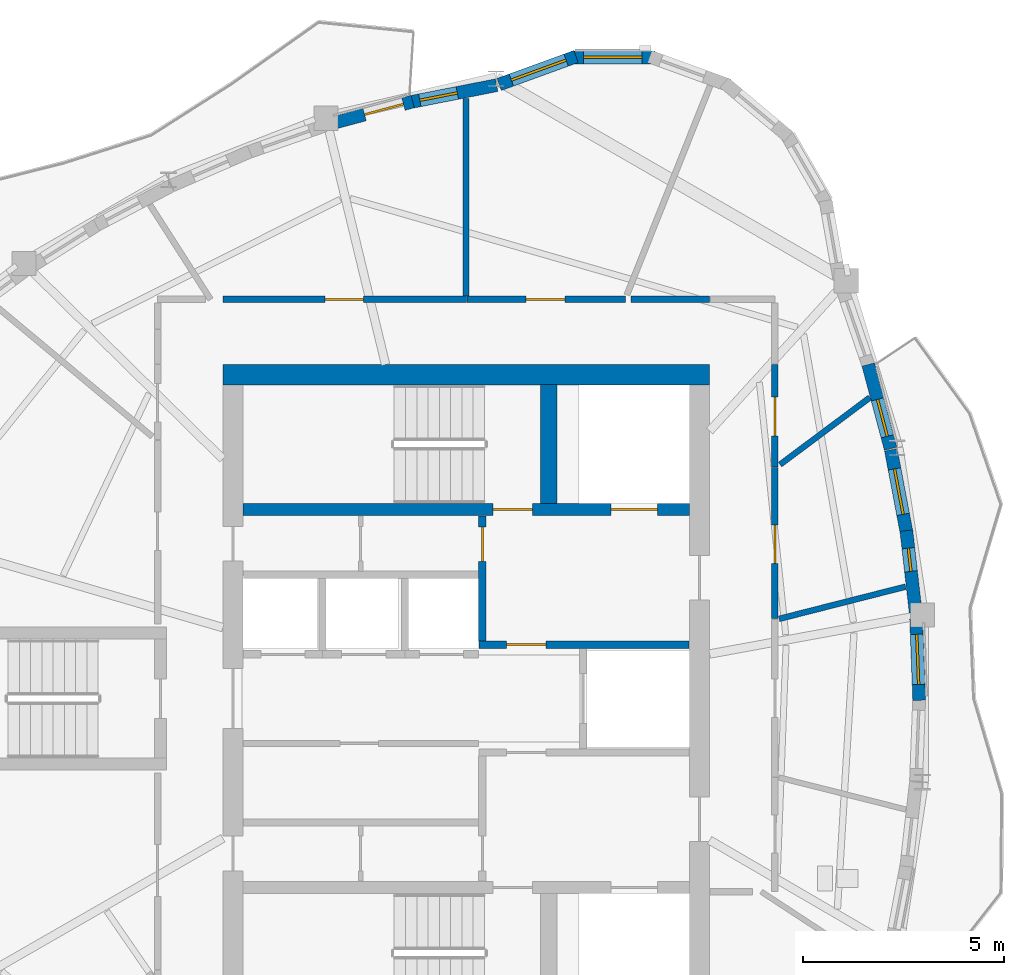
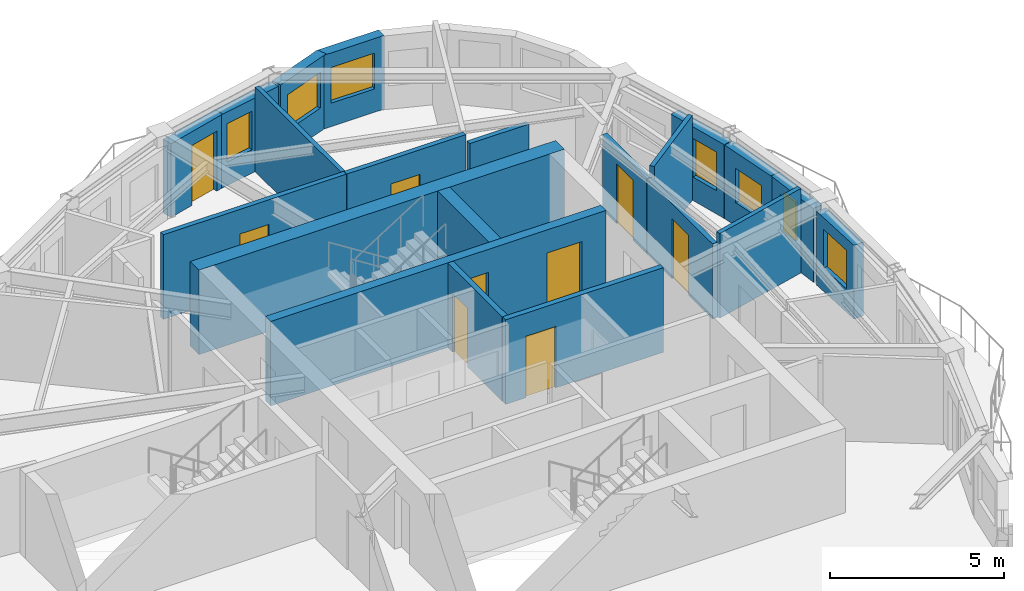
# One storey, part 6 of 11: 21 walls, 9 doors, 7 windows, 16 openings.
"""IFC4 building model written with IfcOpenShell, lengths in metres."""

from ifc_helpers import new_model, si_unit, direction, frame, frame_2d, origin, place, context, subcontext, project, spatial, rectangle, extrude, source, transform, mapped, material, layer, layer_set, type_object, element, fill, save


model = new_model("IFC4")

# Units and contexts
model_context = context("Model", 3, precision=1e-05, world=origin(), true_north=direction((0.0, 1.0)))
body_context = subcontext(model_context, "Body", "Model", "MODEL_VIEW")
ifc_project = project(units=[si_unit("LENGTHUNIT", "METRE"), si_unit("AREAUNIT", "SQUARE_METRE"), si_unit("VOLUMEUNIT", "CUBIC_METRE"), si_unit("PLANEANGLEUNIT", "RADIAN"), si_unit("MASSUNIT", "GRAM", prefix="KILO")], contexts=[model_context])

# Site, building, storey
site_placement = place(None, origin())
site = spatial("IfcSite", under=ifc_project, at=site_placement, CompositionType="ELEMENT")
building_placement = place(site_placement, origin())
building = spatial("IfcBuilding", under=site, at=building_placement, Name="Qafzar Sky-Pleat Residences", CompositionType="ELEMENT")
storey_placement = place(building_placement, frame((0.0, 0.0, 237.199951171875)))
storey = spatial("IfcBuildingStorey", under=building, at=storey_placement, Name="L71", CompositionType="ELEMENT", Elevation=237.199951171875)

# Wall, opening, door
ifc_material_1 = material(Name="Acoustic gypsum plasterboard partition", Category="gypsum")
ifc_layer_1 = layer(ifc_material_1, 0.159912109375)
ifc_layer_set_1 = layer_set([ifc_layer_1], Name="Acoustic gypsum plasterboard partition")
wall_type_1 = type_object("IfcWallType", Name="PART-COR-160", PredefinedType="PARTITIONING", material=ifc_layer_set_1)
wall_1_placement = place(storey_placement, frame((24.300048828125, 35.919921875, 0.0), z_axis=(0.0, 0.0, 1.0), x_axis=(1.0, 0.0, 0.0)))
wall_1 = element("IfcWall", 1, at=wall_1_placement, inside=storey, type_object=wall_type_1, Name="L71 Partition Wall PART-L71-PW-001", PredefinedType="PARTITIONING", context=body_context, shape_type="SweptSolid", body=[
    extrude(rectangle(XDim=6.057861328125, YDim=0.159912109375, at=frame_2d((3.02880859375, 0.0))), origin(), (0.0, 0.0, 1.0), 2.9599609375),
])
opening_1_placement = place(wall_1_placement, frame((2.54150390625, 0.0, 0.0)))
opening_1 = element("IfcOpeningElement", 2, at=opening_1_placement, cuts=wall_1, Name="Opening ID-06", PredefinedType="OPENING", context=body_context, shape_type="SweptSolid", body=[
    extrude(rectangle(XDim=0.9599609375, YDim=2.10009765625, at=frame_2d((0.47998046875, 1.050048828125))), frame((0.0, 0.08984375, 0.0), z_axis=(0.0, -1.0, 0.0), x_axis=(1.0, 0.0, 0.0)), (0.0, 0.0, 1.0), 0.179931640625),
])
ifc_material_2 = material(Name="Timber-faced fire door", Category="wood")
door_type_1 = type_object("IfcDoorType", Name="DR-STD-960", OperationType="NOTDEFINED", PredefinedType="DOOR", material=ifc_material_2)
shared_shape_1 = source(origin(), body_context, "Body", "SweptSolid", [
    extrude(rectangle(XDim=0.9599609375, YDim=2.10009765625, at=frame_2d((0.47998046875, 1.050048828125))), frame((0.0, 0.02490234375, 0.0), z_axis=(0.0, -1.0, 0.0), x_axis=(1.0, 0.0, 0.0)), (0.0, 0.0, 1.0), 0.050048828125),
])
door_1_placement = place(opening_1_placement, origin())
door_1 = element("IfcDoor", 3, at=door_1_placement, inside=storey, type_object=door_type_1, Name="L71 Faculty Research Office Door", OperationType="SINGLE_SWING_LEFT", OverallHeight=2.10009765625, OverallWidth=0.9599609375, PredefinedType="DOOR", context=body_context, shape_type="MappedRepresentation", body=[
    mapped(shared_shape_1, transform((0.0, 0.0, 0.0), x_axis=(1.0, 0.0, 0.0), y_axis=(0.0, 1.0, 0.0), z_axis=(0.0, 0.0, 1.0), scale=1.0)),
])
fill(opening_1, door_1)

wall_2_placement = place(storey_placement, frame((30.373046875, 35.919921875, 0.0), z_axis=(0.0, 0.0, 1.0), x_axis=(1.0, 0.0, 0.0)))
wall_2 = element("IfcWall", 4, at=wall_2_placement, inside=storey, type_object=wall_type_1, Name="L71 Partition Wall PART-L71-PW-004", PredefinedType="PARTITIONING", context=body_context, shape_type="SweptSolid", body=[
    extrude(rectangle(XDim=3.93994140625, YDim=0.159912109375, at=frame_2d((1.969970703125, 0.0))), origin(), (0.0, 0.0, 1.0), 2.9599609375),
])
opening_2_placement = place(wall_2_placement, frame((1.467041015625, 0.0, 0.0)))
opening_2 = element("IfcOpeningElement", 5, at=opening_2_placement, cuts=wall_2, Name="Opening ID-06", PredefinedType="OPENING", context=body_context, shape_type="SweptSolid", body=[
    extrude(rectangle(XDim=0.9599609375, YDim=2.10009765625, at=frame_2d((0.47998046875, 1.050048828125))), frame((0.0, 0.08984375, 0.0), z_axis=(0.0, -1.0, 0.0), x_axis=(1.0, 0.0, 0.0)), (0.0, 0.0, 1.0), 0.179931640625),
])
door_2_placement = place(opening_2_placement, origin())
door_2 = element("IfcDoor", 6, at=door_2_placement, inside=storey, type_object=door_type_1, Name="L71 Reading Library Door", OperationType="SINGLE_SWING_LEFT", OverallHeight=2.10009765625, OverallWidth=0.9599609375, PredefinedType="DOOR", context=body_context, shape_type="MappedRepresentation", body=[
    mapped(shared_shape_1, transform((0.0, 0.0, 0.0), x_axis=(1.0, 0.0, 0.0), y_axis=(0.0, 1.0, 0.0), z_axis=(0.0, 0.0, 1.0), scale=1.0)),
])
fill(opening_2, door_2)

wall_3_placement = place(storey_placement, frame((38.02001953125, 31.739013671875, 0.0), z_axis=(0.0, 0.0, 1.0), x_axis=(0.0, -1.0, 0.0)))
wall_3 = element("IfcWall", 7, at=wall_3_placement, inside=storey, type_object=wall_type_1, Name="L71 Partition Wall PART-L71-PW-006", PredefinedType="PARTITIONING", context=body_context, shape_type="SweptSolid", body=[
    extrude(rectangle(XDim=3.755126953125, YDim=0.159912109375, at=frame_2d((1.87744140625, 0.0))), origin(), (0.0, 0.0, 1.0), 2.6279296875),
])
opening_3_placement = place(wall_3_placement, frame((1.422119140625, 0.0, 0.0)))
opening_3 = element("IfcOpeningElement", 8, at=opening_3_placement, cuts=wall_3, Name="Opening ID-06", PredefinedType="OPENING", context=body_context, shape_type="SweptSolid", body=[
    extrude(rectangle(XDim=0.9599609375, YDim=2.10009765625, at=frame_2d((0.47998046875, 1.050048828125))), frame((0.0, 0.08984375, 0.0), z_axis=(0.0, -1.0, 0.0), x_axis=(1.0, 0.0, 0.0)), (0.0, 0.0, 1.0), 0.179931640625),
])
door_3_placement = place(opening_3_placement, origin())
door_3 = element("IfcDoor", 9, at=door_3_placement, inside=storey, type_object=door_type_1, Name="L71 Music Practice Room Door", OperationType="SINGLE_SWING_LEFT", OverallHeight=2.10009765625, OverallWidth=0.9599609375, PredefinedType="DOOR", context=body_context, shape_type="MappedRepresentation", body=[
    mapped(shared_shape_1, transform((0.0, 0.0, 0.0), x_axis=(1.0, 0.0, 0.0), y_axis=(0.0, 1.0, 0.0), z_axis=(0.0, 0.0, 1.0), scale=1.0)),
])
fill(opening_3, door_3)

wall_4_placement = place(storey_placement, frame((38.02001953125, 31.75390625, 0.0), z_axis=(0.0, 0.0, 1.0), x_axis=(0.0, 1.0, 0.0)))
wall_4 = element("IfcWall", 10, at=wall_4_placement, inside=storey, type_object=wall_type_1, Name="L71 Partition Wall PART-L71-PW-008", PredefinedType="PARTITIONING", context=body_context, shape_type="SweptSolid", body=[
    extrude(rectangle(XDim=2.546142578125, YDim=0.159912109375, at=frame_2d((1.27294921875, 0.0))), origin(), (0.0, 0.0, 1.0), 2.6279296875),
])
opening_4_placement = place(wall_4_placement, frame((0.77587890625, 0.0, 0.0)))
opening_4 = element("IfcOpeningElement", 11, at=opening_4_placement, cuts=wall_4, Name="Opening ID-06", PredefinedType="OPENING", context=body_context, shape_type="SweptSolid", body=[
    extrude(rectangle(XDim=0.9599609375, YDim=2.10009765625, at=frame_2d((0.47998046875, 1.050048828125))), frame((0.0, 0.08984375, 0.0), z_axis=(0.0, -1.0, 0.0), x_axis=(1.0, 0.0, 0.0)), (0.0, 0.0, 1.0), 0.179931640625),
])
door_4_placement = place(opening_4_placement, origin())
door_4 = element("IfcDoor", 12, at=door_4_placement, inside=storey, type_object=door_type_1, Name="L71 Wellness Yoga Studio Door", OperationType="SINGLE_SWING_LEFT", OverallHeight=2.10009765625, OverallWidth=0.9599609375, PredefinedType="DOOR", context=body_context, shape_type="MappedRepresentation", body=[
    mapped(shared_shape_1, transform((0.0, 0.0, 0.0), x_axis=(1.0, 0.0, 0.0), y_axis=(0.0, 1.0, 0.0), z_axis=(0.0, 0.0, 1.0), scale=1.0)),
])
fill(opening_4, door_4)

# Wall
wall_5_placement = place(storey_placement, frame((34.44580078125, 35.919921875, 0.0), z_axis=(0.0, 0.0, 1.0), x_axis=(1.0, 0.0, 0.0)))
element("IfcWall", 13, at=wall_5_placement, inside=storey, type_object=wall_type_1, Name="L71 Partition Wall PART-L71-PW-021", PredefinedType="PARTITIONING", context=body_context, shape_type="SweptSolid", body=[
    extrude(rectangle(XDim=1.9541015625, YDim=0.159912109375, at=frame_2d((0.97705078125, 0.0))), origin(), (0.0, 0.0, 1.0), 2.59814453125),
])

# Wall, opening, door
ifc_material_3 = material(Name="Concrete blockwork partition", Category="masonry")
ifc_layer_2 = layer(ifc_material_3, 0.179931640625)
ifc_layer_set_2 = layer_set([ifc_layer_2], Name="Concrete blockwork partition")
wall_type_2 = type_object("IfcWallType", Name="PART-SHAFT-180", PredefinedType="PARTITIONING", material=ifc_layer_set_2)
wall_6_placement = place(storey_placement, frame((30.75, 27.429931640625, 0.0), z_axis=(0.0, 0.0, 1.0), x_axis=(0.0, 1.0, 0.0)))
wall_6 = element("IfcWall", 14, at=wall_6_placement, inside=storey, type_object=wall_type_2, Name="L71 Partition Wall PART-L71-FFL2-W", PredefinedType="PARTITIONING", context=body_context, shape_type="SweptSolid", body=[
    extrude(rectangle(XDim=3.110107421875, YDim=0.179931640625, at=frame_2d((1.55517578125, 0.0))), origin(), (0.0, 0.0, 1.0), 2.9599609375),
])
opening_5_placement = place(wall_6_placement, frame((1.97998046875, 0.0, 0.0)))
opening_5 = element("IfcOpeningElement", 15, at=opening_5_placement, cuts=wall_6, Name="Opening ID-09", PredefinedType="OPENING", context=body_context, shape_type="SweptSolid", body=[
    extrude(rectangle(XDim=0.860107421875, YDim=2.050048828125, at=frame_2d((0.43017578125, 1.02490234375))), frame((0.0, 0.10009765625, 0.0), z_axis=(0.0, -1.0, 0.0), x_axis=(1.0, 0.0, 0.0)), (0.0, 0.0, 1.0), 0.199951171875),
])
door_type_2 = type_object("IfcDoorType", Name="DR-SVC-860", OperationType="NOTDEFINED", PredefinedType="DOOR", material=ifc_material_2)
shared_shape_2 = source(origin(), body_context, "Body", "SweptSolid", [
    extrude(rectangle(XDim=0.860107421875, YDim=2.050048828125, at=frame_2d((0.43017578125, 1.02490234375))), frame((0.0, 0.02490234375, 0.0), z_axis=(0.0, -1.0, 0.0), x_axis=(1.0, 0.0, 0.0)), (0.0, 0.0, 1.0), 0.050048828125),
])
door_5_placement = place(opening_5_placement, origin())
door_5 = element("IfcDoor", 16, at=door_5_placement, inside=storey, type_object=door_type_2, Name="L71 North Core Cupboard Door", OperationType="SINGLE_SWING_RIGHT", OverallHeight=2.050048828125, OverallWidth=0.860107421875, PredefinedType="DOOR", context=body_context, shape_type="MappedRepresentation", body=[
    mapped(shared_shape_2, transform((0.0, 0.0, 0.0), x_axis=(1.0, 0.0, 0.0), y_axis=(0.0, 1.0, 0.0), z_axis=(0.0, 0.0, 1.0), scale=1.0)),
])
fill(opening_5, door_5)

wall_7_placement = place(storey_placement, frame((30.669921875, 27.340087890625, 0.0), z_axis=(0.0, 0.0, 1.0), x_axis=(1.0, 0.0, 0.0)))
wall_7 = element("IfcWall", 17, at=wall_7_placement, inside=storey, type_object=wall_type_2, Name="L71 Partition Wall PART-L71-FFL2-S", PredefinedType="PARTITIONING", context=body_context, shape_type="SweptSolid", body=[
    extrude(rectangle(XDim=5.219970703125, YDim=0.179931640625, at=frame_2d((2.60986328125, 0.0))), origin(), (0.0, 0.0, 1.0), 2.9599609375),
])
opening_6_placement = place(wall_7_placement, frame((0.679931640625, 0.0, 0.0)))
opening_6 = element("IfcOpeningElement", 18, at=opening_6_placement, cuts=wall_7, Name="Opening ID-01", PredefinedType="OPENING", context=body_context, shape_type="SweptSolid", body=[
    extrude(rectangle(XDim=0.97998046875, YDim=2.14990234375, at=frame_2d((0.489990234375, 1.074951171875))), frame((0.0, 0.10009765625, 0.0), z_axis=(0.0, -1.0, 0.0), x_axis=(1.0, 0.0, 0.0)), (0.0, 0.0, 1.0), 0.199951171875),
])
door_type_3 = type_object("IfcDoorType", Name="DR-STAIR-980", OperationType="NOTDEFINED", PredefinedType="DOOR", material=ifc_material_2)
shared_shape_3 = source(origin(), body_context, "Body", "SweptSolid", [
    extrude(rectangle(XDim=0.97998046875, YDim=2.14990234375, at=frame_2d((0.489990234375, 1.074951171875))), frame((0.0, 0.02490234375, 0.0), z_axis=(0.0, -1.0, 0.0), x_axis=(1.0, 0.0, 0.0)), (0.0, 0.0, 1.0), 0.050048828125),
])
door_6_placement = place(opening_6_placement, origin())
door_6 = element("IfcDoor", 19, at=door_6_placement, inside=storey, type_object=door_type_3, Name="L71 Lift Lobby to North Firefighting Lobby Door", OperationType="SINGLE_SWING_LEFT", OverallHeight=2.14990234375, OverallWidth=0.97998046875, PredefinedType="DOOR", context=body_context, shape_type="MappedRepresentation", body=[
    mapped(shared_shape_3, transform((0.0, 0.0, 0.0), x_axis=(1.0, 0.0, 0.0), y_axis=(0.0, 1.0, 0.0), z_axis=(0.0, 0.0, 1.0), scale=1.0)),
])
fill(opening_6, door_6)

# Walls
ifc_layer_3 = layer(ifc_material_1, 0.14501953125)
ifc_layer_set_3 = layer_set([ifc_layer_3], Name="Acoustic gypsum plasterboard partition")
wall_type_3 = type_object("IfcWallType", Name="PART-UNIT-145", PredefinedType="PARTITIONING", material=ifc_layer_set_3)
wall_8_placement = place(storey_placement, frame((30.340087890625, 40.909912109375, 0.0), z_axis=(0.0, 0.0, 1.0), x_axis=(0.000597668984, -0.999999821396, 0.0)))
element("IfcWall", 20, at=wall_8_placement, inside=storey, type_object=wall_type_3, Name="L71 Partition Wall PART-L71-PW-014", PredefinedType="PARTITIONING", context=body_context, shape_type="SweptSolid", body=[
    extrude(rectangle(XDim=4.90185546875, YDim=0.14501953125, at=frame_2d((2.450927734375, 0.0))), origin(), (0.0, 0.0, 1.0), 2.9599609375),
])
wall_9_placement = place(storey_placement, frame((38.12548828125, 27.98095703125, 0.0), z_axis=(0.0, 0.0, 1.0), x_axis=(0.969102081124, 0.246660001541, 0.0)))
element("IfcWall", 21, at=wall_9_placement, inside=storey, type_object=wall_type_3, Name="L71 Partition Wall PART-L71-PW-018", PredefinedType="PARTITIONING", context=body_context, shape_type="SweptSolid", body=[
    extrude(rectangle(XDim=3.243408203125, YDim=0.14501953125, at=frame_2d((1.62158203125, 0.0))), origin(), (0.0, 0.0, 1.0), 2.9599609375),
])
wall_10_placement = place(storey_placement, frame((38.14990234375, 31.81689453125, 0.0), z_axis=(0.0, 0.0, 1.0), x_axis=(0.8016068225, 0.597851571982, 0.0)))
element("IfcWall", 22, at=wall_10_placement, inside=storey, type_object=wall_type_3, Name="L71 Partition Wall PART-L71-PW-019", PredefinedType="PARTITIONING", context=body_context, shape_type="SweptSolid", body=[
    extrude(rectangle(XDim=2.78466796875, YDim=0.14501953125, at=frame_2d((1.392333984375, 0.0))), origin(), (0.0, 0.0, 1.0), 2.9599609375),
])

# Wall, opening, window
ifc_material_4 = material(Name="Precast concrete C40/50 with honed Riyadh limestone", Category="concrete")
ifc_layer_4 = layer(ifc_material_4, 0.320068359375)
ifc_layer_set_4 = layer_set([ifc_layer_4], Name="Precast concrete C40/50 with honed Riyadh limestone")
wall_type_4 = type_object("IfcWallType", Name="WALL-EXT-320", PredefinedType="SOLIDWALL", material=ifc_layer_set_4)
wall_11_placement = place(storey_placement, frame((41.609619140625, 25.9560546875, 0.0), z_axis=(0.0, 0.0, 1.0), x_axis=(-0.038076792699, 0.999274815983, 0.0)))
wall_11 = element("IfcWall", 23, at=wall_11_placement, inside=storey, type_object=wall_type_4, Name="L71 Limestone Facade Wall 28", PredefinedType="SOLIDWALL", context=body_context, shape_type="SweptSolid", body=[
    extrude(rectangle(XDim=2.026123046875, YDim=0.320068359375, at=frame_2d((1.01318359375, 0.0))), origin(), (0.0, 0.0, 1.0), 2.580078125),
])
opening_7_placement = place(wall_11_placement, frame((0.39306640625, 0.0, 0.820068359375)))
opening_7 = element("IfcOpeningElement", 24, at=opening_7_placement, cuts=wall_11, Name="Opening WN-11", PredefinedType="OPENING", context=body_context, shape_type="SweptSolid", body=[
    extrude(rectangle(XDim=1.25, YDim=1.35009765625, at=frame_2d((0.625, 0.675048828125))), frame((0.0, 0.169921875, 0.0), z_axis=(0.0, -1.0, 0.0), x_axis=(1.0, 0.0, 0.0)), (0.0, 0.0, 1.0), 0.340087890625),
])
ifc_material_5 = material(Name="Solar-control low-E glass in bronze aluminium frame", Category="glass")
window_type_1 = type_object("IfcWindowType", Name="WIN-11", PartitioningType="SINGLE_PANEL", PredefinedType="WINDOW", material=ifc_material_5)
shared_shape_4 = source(origin(), body_context, "Body", "SweptSolid", [
    extrude(rectangle(XDim=1.25, YDim=1.35009765625, at=frame_2d((0.625, 0.675048828125))), frame((0.0, 0.030029296875, 0.0), z_axis=(0.0, -1.0, 0.0), x_axis=(1.0, 0.0, 0.0)), (0.0, 0.0, 1.0), 0.06005859375),
])
window_1_placement = place(opening_7_placement, origin())
window_1 = element("IfcWindow", 25, at=window_1_placement, inside=storey, type_object=window_type_1, Name="L71 Punched Facade Window 28", OverallHeight=1.35009765625, OverallWidth=1.25, PartitioningType="SINGLE_PANEL", PredefinedType="WINDOW", context=body_context, shape_type="MappedRepresentation", body=[
    mapped(shared_shape_4, transform((0.0, 0.0, 0.0), x_axis=(1.0, 0.0, 0.0), y_axis=(0.0, 1.0, 0.0), z_axis=(0.0, 0.0, 1.0), scale=1.0)),
])
fill(opening_7, window_1)

wall_12_placement = place(storey_placement, frame((41.519775390625, 28.14794921875, 0.0), z_axis=(0.0, 0.0, 1.0), x_axis=(-0.113310120223, 0.993559669398, 0.0)))
wall_12 = element("IfcWall", 26, at=wall_12_placement, inside=storey, type_object=wall_type_4, Name="L71 Limestone Facade Wall 29", PredefinedType="SOLIDWALL", context=body_context, shape_type="SweptSolid", body=[
    extrude(rectangle(XDim=2.038330078125, YDim=0.320068359375, at=frame_2d((1.01904296875, 0.0))), origin(), (0.0, 0.0, 1.0), 2.580078125),
])
opening_8_placement = place(wall_12_placement, frame((1.019775390625, 0.0, 0.820068359375)))
opening_8 = element("IfcOpeningElement", 27, at=opening_8_placement, cuts=wall_12, Name="Opening WN-17", PredefinedType="OPENING", context=body_context, shape_type="SweptSolid", body=[
    extrude(rectangle(XDim=0.580078125, YDim=1.35009765625, at=frame_2d((0.2900390625, 0.675048828125))), frame((0.0, 0.169921875, 0.0), z_axis=(0.0, -1.0, 0.0), x_axis=(1.0, 0.0, 0.0)), (0.0, 0.0, 1.0), 0.340087890625),
])
window_type_2 = type_object("IfcWindowType", Name="WIN-17", PartitioningType="SINGLE_PANEL", PredefinedType="WINDOW", material=ifc_material_5)
shared_shape_5 = source(origin(), body_context, "Body", "SweptSolid", [
    extrude(rectangle(XDim=0.580078125, YDim=1.35009765625, at=frame_2d((0.2900390625, 0.675048828125))), frame((0.0, 0.030029296875, 0.0), z_axis=(0.0, -1.0, 0.0), x_axis=(1.0, 0.0, 0.0)), (0.0, 0.0, 1.0), 0.06005859375),
])
window_2_placement = place(opening_8_placement, origin())
window_2 = element("IfcWindow", 28, at=window_2_placement, inside=storey, type_object=window_type_2, Name="L71 Punched Facade Window 29-2", OverallHeight=1.35009765625, OverallWidth=0.580078125, PartitioningType="SINGLE_PANEL", PredefinedType="WINDOW", context=body_context, shape_type="MappedRepresentation", body=[
    mapped(shared_shape_5, transform((0.0, 0.0, 0.0), x_axis=(1.0, 0.0, 0.0), y_axis=(0.0, 1.0, 0.0), z_axis=(0.0, 0.0, 1.0), scale=1.0)),
])
fill(opening_8, window_2)

wall_13_placement = place(storey_placement, frame((41.302001953125, 30.086181640625, 0.0), z_axis=(0.0, 0.0, 1.0), x_axis=(-0.186549011882, 0.982445655579, 0.0)))
wall_13 = element("IfcWall", 29, at=wall_13_placement, inside=storey, type_object=wall_type_4, Name="L71 Limestone Facade Wall 30", PredefinedType="SOLIDWALL", context=body_context, shape_type="SweptSolid", body=[
    extrude(rectangle(XDim=2.1318359375, YDim=0.320068359375, at=frame_2d((1.06591796875, 0.0))), origin(), (0.0, 0.0, 1.0), 2.580078125),
])
opening_9_placement = place(wall_13_placement, frame((0.5009765625, 0.0, 0.820068359375)))
opening_9 = element("IfcOpeningElement", 30, at=opening_9_placement, cuts=wall_13, Name="Opening WN-16", PredefinedType="OPENING", context=body_context, shape_type="SweptSolid", body=[
    extrude(rectangle(XDim=1.14990234375, YDim=1.199951171875, at=frame_2d((0.574951171875, 0.60009765625))), frame((0.0, 0.169921875, 0.0), z_axis=(0.0, -1.0, 0.0), x_axis=(1.0, 0.0, 0.0)), (0.0, 0.0, 1.0), 0.340087890625),
])
window_type_3 = type_object("IfcWindowType", Name="WIN-16", PartitioningType="SINGLE_PANEL", PredefinedType="WINDOW", material=ifc_material_5)
shared_shape_6 = source(origin(), body_context, "Body", "SweptSolid", [
    extrude(rectangle(XDim=1.14990234375, YDim=1.199951171875, at=frame_2d((0.574951171875, 0.60009765625))), frame((0.0, 0.030029296875, 0.0), z_axis=(0.0, -1.0, 0.0), x_axis=(1.0, 0.0, 0.0)), (0.0, 0.0, 1.0), 0.06005859375),
])
window_3_placement = place(opening_9_placement, origin())
window_3 = element("IfcWindow", 31, at=window_3_placement, inside=storey, type_object=window_type_3, Name="L71 Punched Facade Window 30", OverallHeight=1.199951171875, OverallWidth=1.14990234375, PartitioningType="SINGLE_PANEL", PredefinedType="WINDOW", context=body_context, shape_type="MappedRepresentation", body=[
    mapped(shared_shape_6, transform((0.0, 0.0, 0.0), x_axis=(1.0, 0.0, 0.0), y_axis=(0.0, 1.0, 0.0), z_axis=(0.0, 0.0, 1.0), scale=1.0)),
])
fill(opening_9, window_3)

wall_14_placement = place(storey_placement, frame((40.89794921875, 32.20849609375, 0.0), z_axis=(0.0, 0.0, 1.0), x_axis=(-0.257115616442, 0.966380649528, 0.0)))
wall_14 = element("IfcWall", 32, at=wall_14_placement, inside=storey, type_object=wall_type_4, Name="L71 Limestone Facade Wall 31", PredefinedType="SOLIDWALL", context=body_context, shape_type="SweptSolid", body=[
    extrude(rectangle(XDim=2.166748046875, YDim=0.320068359375, at=frame_2d((1.08349609375, 0.0))), origin(), (0.0, 0.0, 1.0), 2.580078125),
])
opening_10_placement = place(wall_14_placement, frame((0.32080078125, 0.0, 0.820068359375)))
opening_10 = element("IfcOpeningElement", 33, at=opening_10_placement, cuts=wall_14, Name="Opening WN-12", PredefinedType="OPENING", context=body_context, shape_type="SweptSolid", body=[
    extrude(rectangle(XDim=0.949951171875, YDim=1.35009765625, at=frame_2d((0.47509765625, 0.675048828125))), frame((0.0, 0.169921875, 0.0), z_axis=(0.0, -1.0, 0.0), x_axis=(1.0, 0.0, 0.0)), (0.0, 0.0, 1.0), 0.340087890625),
])
window_type_4 = type_object("IfcWindowType", Name="WIN-12", PartitioningType="SINGLE_PANEL", PredefinedType="WINDOW", material=ifc_material_5)
shared_shape_7 = source(origin(), body_context, "Body", "SweptSolid", [
    extrude(rectangle(XDim=0.949951171875, YDim=1.35009765625, at=frame_2d((0.47509765625, 0.675048828125))), frame((0.0, 0.030029296875, 0.0), z_axis=(0.0, -1.0, 0.0), x_axis=(1.0, 0.0, 0.0)), (0.0, 0.0, 1.0), 0.06005859375),
])
window_4_placement = place(opening_10_placement, origin())
window_4 = element("IfcWindow", 34, at=window_4_placement, inside=storey, type_object=window_type_4, Name="L71 Punched Facade Window 31", OverallHeight=1.35009765625, OverallWidth=0.949951171875, PartitioningType="SINGLE_PANEL", PredefinedType="WINDOW", context=body_context, shape_type="MappedRepresentation", body=[
    mapped(shared_shape_7, transform((0.0, 0.0, 0.0), x_axis=(1.0, 0.0, 0.0), y_axis=(0.0, 1.0, 0.0), z_axis=(0.0, 0.0, 1.0), scale=1.0)),
])
fill(opening_10, window_4)

wall_15_placement = place(storey_placement, frame((35.040283203125, 41.935546875, 0.0), z_axis=(0.0, 0.0, 1.0), x_axis=(-1.0, 0.0, 0.0)))
wall_15 = element("IfcWall", 35, at=wall_15_placement, inside=storey, type_object=wall_type_4, Name="L71 Limestone Facade Wall 37", PredefinedType="SOLIDWALL", context=body_context, shape_type="SweptSolid", body=[
    extrude(rectangle(XDim=2.090576171875, YDim=0.320068359375, at=frame_2d((1.04541015625, 0.0))), origin(), (0.0, 0.0, 1.0), 2.580078125),
])
opening_11_placement = place(wall_15_placement, frame((0.3203125, 0.0, 0.820068359375)))
opening_11 = element("IfcOpeningElement", 36, at=opening_11_placement, cuts=wall_15, Name="Opening WN-15", PredefinedType="OPENING", context=body_context, shape_type="SweptSolid", body=[
    extrude(rectangle(XDim=1.449951171875, YDim=1.25, at=frame_2d((0.72509765625, 0.625))), frame((0.0, 0.169921875, 0.0), z_axis=(0.0, -1.0, 0.0), x_axis=(1.0, 0.0, 0.0)), (0.0, 0.0, 1.0), 0.340087890625),
])
window_type_5 = type_object("IfcWindowType", Name="WIN-15", PartitioningType="SINGLE_PANEL", PredefinedType="WINDOW", material=ifc_material_5)
shared_shape_8 = source(origin(), body_context, "Body", "SweptSolid", [
    extrude(rectangle(XDim=1.449951171875, YDim=1.25, at=frame_2d((0.72509765625, 0.625))), frame((0.0, 0.030029296875, 0.0), z_axis=(0.0, -1.0, 0.0), x_axis=(1.0, 0.0, 0.0)), (0.0, 0.0, 1.0), 0.06005859375),
])
window_5_placement = place(opening_11_placement, origin())
window_5 = element("IfcWindow", 37, at=window_5_placement, inside=storey, type_object=window_type_5, Name="L71 Punched Facade Window 37", OverallHeight=1.25, OverallWidth=1.449951171875, PartitioningType="SINGLE_PANEL", PredefinedType="WINDOW", context=body_context, shape_type="MappedRepresentation", body=[
    mapped(shared_shape_8, transform((0.0, 0.0, 0.0), x_axis=(1.0, 0.0, 0.0), y_axis=(0.0, 1.0, 0.0), z_axis=(0.0, 0.0, 1.0), scale=1.0)),
])
fill(opening_11, window_5)

wall_16_placement = place(storey_placement, frame((33.078125, 41.9580078125, 0.0), z_axis=(0.0, 0.0, 1.0), x_axis=(-0.939730268502, -0.341916689358, 0.0)))
wall_16 = element("IfcWall", 38, at=wall_16_placement, inside=storey, type_object=wall_type_4, Name="L71 Limestone Facade Wall 38", PredefinedType="SOLIDWALL", context=body_context, shape_type="SweptSolid", body=[
    extrude(rectangle(XDim=2.0322265625, YDim=0.320068359375, at=frame_2d((1.01611328125, 0.0))), origin(), (0.0, 0.0, 1.0), 2.580078125),
])
opening_12_placement = place(wall_16_placement, frame((0.260986328125, 0.0, 0.820068359375)))
opening_12 = element("IfcOpeningElement", 39, at=opening_12_placement, cuts=wall_16, Name="Opening WN-15", PredefinedType="OPENING", context=body_context, shape_type="SweptSolid", body=[
    extrude(rectangle(XDim=1.449951171875, YDim=1.25, at=frame_2d((0.72509765625, 0.625))), frame((0.0, 0.169921875, 0.0), z_axis=(0.0, -1.0, 0.0), x_axis=(1.0, 0.0, 0.0)), (0.0, 0.0, 1.0), 0.340087890625),
])
window_6_placement = place(opening_12_placement, origin())
window_6 = element("IfcWindow", 40, at=window_6_placement, inside=storey, type_object=window_type_5, Name="L71 Punched Facade Window 38", OverallHeight=1.25, OverallWidth=1.449951171875, PartitioningType="SINGLE_PANEL", PredefinedType="WINDOW", context=body_context, shape_type="MappedRepresentation", body=[
    mapped(shared_shape_8, transform((0.0, 0.0, 0.0), x_axis=(1.0, 0.0, 0.0), y_axis=(0.0, 1.0, 0.0), z_axis=(0.0, 0.0, 1.0), scale=1.0)),
])
fill(opening_12, window_6)

wall_17_placement = place(storey_placement, frame((31.106201171875, 41.24560546875, 0.0), z_axis=(0.0, 0.0, 1.0), x_axis=(-0.981245466498, -0.192762378272, 0.0)))
wall_17 = element("IfcWall", 41, at=wall_17_placement, inside=storey, type_object=wall_type_4, Name="L71 Limestone Facade Wall 39", PredefinedType="SOLIDWALL", context=body_context, shape_type="SweptSolid", body=[
    extrude(rectangle(XDim=2.212646484375, YDim=0.320068359375, at=frame_2d((1.1064453125, 0.0))), origin(), (0.0, 0.0, 1.0), 2.580078125),
])
opening_13_placement = place(wall_17_placement, frame((0.99658203125, 0.0, 0.820068359375)))
opening_13 = element("IfcOpeningElement", 42, at=opening_13_placement, cuts=wall_17, Name="Opening WN-12", PredefinedType="OPENING", context=body_context, shape_type="SweptSolid", body=[
    extrude(rectangle(XDim=0.949951171875, YDim=1.35009765625, at=frame_2d((0.47509765625, 0.675048828125))), frame((0.0, 0.169921875, 0.0), z_axis=(0.0, -1.0, 0.0), x_axis=(1.0, 0.0, 0.0)), (0.0, 0.0, 1.0), 0.340087890625),
])
window_7_placement = place(opening_13_placement, origin())
window_7 = element("IfcWindow", 43, at=window_7_placement, inside=storey, type_object=window_type_4, Name="L71 Punched Facade Window 39-2", OverallHeight=1.35009765625, OverallWidth=0.949951171875, PartitioningType="SINGLE_PANEL", PredefinedType="WINDOW", context=body_context, shape_type="MappedRepresentation", body=[
    mapped(shared_shape_7, transform((0.0, 0.0, 0.0), x_axis=(1.0, 0.0, 0.0), y_axis=(0.0, 1.0, 0.0), z_axis=(0.0, 0.0, 1.0), scale=1.0)),
])
fill(opening_13, window_7)

# Wall, opening, door
wall_18_placement = place(storey_placement, frame((29.019775390625, 40.838623046875, 0.0), z_axis=(0.0, 0.0, 1.0), x_axis=(-0.965482976667, -0.260466162422, 0.0)))
wall_18 = element("IfcWall", 44, at=wall_18_placement, inside=storey, type_object=wall_type_4, Name="L71 Limestone Facade Wall 40", PredefinedType="SOLIDWALL", context=body_context, shape_type="SweptSolid", body=[
    extrude(rectangle(XDim=2.0966796875, YDim=0.320068359375, at=frame_2d((1.04833984375, 0.0))), origin(), (0.0, 0.0, 1.0), 2.580078125),
])
opening_14_placement = place(wall_18_placement, frame((0.239990234375, 0.0, 0.0)))
opening_14 = element("IfcOpeningElement", 45, at=opening_14_placement, cuts=wall_18, Name="Opening ED-05", PredefinedType="OPENING", context=body_context, shape_type="SweptSolid", body=[
    extrude(rectangle(XDim=1.0, YDim=2.10009765625, at=frame_2d((0.5, 1.050048828125))), frame((0.0, 0.169921875, 0.0), z_axis=(0.0, -1.0, 0.0), x_axis=(1.0, 0.0, 0.0)), (0.0, 0.0, 1.0), 0.340087890625),
])
ifc_material_6 = material(Name="Glazed bronze aluminium door", Category="aluminium")
door_type_4 = type_object("IfcDoorType", Name="DR-BAL-1000", OperationType="NOTDEFINED", PredefinedType="DOOR", material=ifc_material_6)
shared_shape_9 = source(origin(), body_context, "Body", "SweptSolid", [
    extrude(rectangle(XDim=1.0, YDim=2.10009765625, at=frame_2d((0.5, 1.050048828125))), frame((0.0, 0.02490234375, 0.0), z_axis=(0.0, -1.0, 0.0), x_axis=(1.0, 0.0, 0.0)), (0.0, 0.0, 1.0), 0.050048828125),
])
door_7_placement = place(opening_14_placement, origin())
door_7 = element("IfcDoor", 46, at=door_7_placement, inside=storey, type_object=door_type_4, Name="L71 Glazed Balcony Door 2", OperationType="SINGLE_SWING_LEFT", OverallHeight=2.10009765625, OverallWidth=1.0, PredefinedType="DOOR", context=body_context, shape_type="MappedRepresentation", body=[
    mapped(shared_shape_9, transform((0.0, 0.0, 0.0), x_axis=(1.0, 0.0, 0.0), y_axis=(0.0, 1.0, 0.0), z_axis=(0.0, 0.0, 1.0), scale=1.0)),
])
fill(opening_14, door_7)

# Wall, openings, doors
ifc_material_7 = material(Name="Concrete C60/75", Category="concrete")
ifc_layer_5 = layer(ifc_material_7, 0.300048828125)
ifc_layer_set_5 = layer_set([ifc_layer_5], Name="Concrete C60/75")
wall_type_5 = type_object("IfcWallType", Name="WALL-SHEAR-300", PredefinedType="SHEAR", material=ifc_layer_set_5)
wall_19_placement = place(storey_placement, frame((24.800048828125, 30.699951171875, 0.0), z_axis=(0.0, 0.0, 1.0), x_axis=(1.0, 0.0, 0.0)))
wall_19 = element("IfcWall", 47, at=wall_19_placement, inside=storey, type_object=wall_type_5, Name="L71 Stair ST2 and FF2 Shaft South Wall", PredefinedType="SHEAR", context=body_context, shape_type="SweptSolid", body=[
    extrude(rectangle(XDim=11.099853515625, YDim=0.300048828125, at=frame_2d((5.5498046875, 0.0))), origin(), (0.0, 0.0, 1.0), 2.9599609375),
])
opening_15_placement = place(wall_19_placement, frame((6.219970703125, 0.0, 0.0)))
opening_15 = element("IfcOpeningElement", 48, at=opening_15_placement, cuts=wall_19, Name="Opening ID-01", PredefinedType="OPENING", context=body_context, shape_type="SweptSolid", body=[
    extrude(rectangle(XDim=0.97998046875, YDim=2.14990234375, at=frame_2d((0.489990234375, 1.074951171875))), frame((0.0, 0.16015625, 0.0), z_axis=(0.0, -1.0, 0.0), x_axis=(1.0, 0.0, 0.0)), (0.0, 0.0, 1.0), 0.320068359375),
])
opening_16_placement = place(wall_19_placement, frame((9.14990234375, 0.0, 0.0)))
opening_16 = element("IfcOpeningElement", 49, at=opening_16_placement, cuts=wall_19, Name="Opening LD-02", PredefinedType="OPENING", context=body_context, shape_type="SweptSolid", body=[
    extrude(rectangle(XDim=1.14990234375, YDim=2.14990234375, at=frame_2d((0.574951171875, 1.074951171875))), frame((0.0, 0.16015625, 0.0), z_axis=(0.0, -1.0, 0.0), x_axis=(1.0, 0.0, 0.0)), (0.0, 0.0, 1.0), 0.320068359375),
])
door_8_placement = place(opening_15_placement, origin())
door_8 = element("IfcDoor", 50, at=door_8_placement, inside=storey, type_object=door_type_3, Name="L71 Stair ST2 Fire Door", OperationType="SINGLE_SWING_RIGHT", OverallHeight=2.14990234375, OverallWidth=0.97998046875, PredefinedType="DOOR", context=body_context, shape_type="MappedRepresentation", body=[
    mapped(shared_shape_3, transform((0.0, 0.0, 0.0), x_axis=(1.0, 0.0, 0.0), y_axis=(0.0, 1.0, 0.0), z_axis=(0.0, 0.0, 1.0), scale=1.0)),
])
fill(opening_15, door_8)
ifc_material_8 = material(Name="Stainless steel sliding landing door", Category="steel")
door_type_5 = type_object("IfcDoorType", Name="DR-LIFT-FF", OperationType="DOUBLE_DOOR_SLIDING", PredefinedType="DOOR", material=ifc_material_8)
shared_shape_10 = source(origin(), body_context, "Body", "SweptSolid", [
    extrude(rectangle(XDim=1.14990234375, YDim=2.14990234375, at=frame_2d((0.574951171875, 1.074951171875))), frame((0.0, 0.02490234375, 0.0), z_axis=(0.0, -1.0, 0.0), x_axis=(1.0, 0.0, 0.0)), (0.0, 0.0, 1.0), 0.050048828125),
])
door_9_placement = place(opening_16_placement, origin())
door_9 = element("IfcDoor", 51, at=door_9_placement, inside=storey, type_object=door_type_5, Name="L71 Firefighting Lift FF2 Landing Door", OperationType="DOUBLE_DOOR_SLIDING", OverallHeight=2.14990234375, OverallWidth=1.14990234375, PredefinedType="DOOR", context=body_context, shape_type="MappedRepresentation", body=[
    mapped(shared_shape_10, transform((0.0, 0.0, 0.0), x_axis=(1.0, 0.0, 0.0), y_axis=(0.0, 1.0, 0.0), z_axis=(0.0, 0.0, 1.0), scale=1.0)),
])
fill(opening_16, door_9)

# Walls
ifc_layer_6 = layer(ifc_material_7, 0.39990234375)
ifc_layer_set_6 = layer_set([ifc_layer_6], Name="Concrete C60/75")
wall_type_6 = type_object("IfcWallType", Name="WALL-SHEAR-400", PredefinedType="SHEAR", material=ifc_layer_set_6)
wall_20_placement = place(storey_placement, frame((32.39990234375, 30.85009765625, 0.0), z_axis=(0.0, 0.0, 1.0), x_axis=(0.0, 1.0, 0.0)))
element("IfcWall", 52, at=wall_20_placement, inside=storey, type_object=wall_type_6, Name="L71 Stair ST2 East Dividing Wall", PredefinedType="SHEAR", context=body_context, shape_type="SweptSolid", body=[
    extrude(rectangle(XDim=2.949951171875, YDim=0.39990234375, at=frame_2d((1.47509765625, 0.0))), origin(), (0.0, 0.0, 1.0), 2.9599609375),
])
ifc_layer_7 = layer(ifc_material_7, 0.5)
ifc_layer_set_7 = layer_set([ifc_layer_7], Name="Concrete C60/75")
wall_type_7 = type_object("IfcWallType", Name="WALL-SHEAR-500", PredefinedType="SHEAR", material=ifc_layer_set_7)
wall_21_placement = place(storey_placement, frame((36.39990234375, 34.050048828125, 0.0), z_axis=(0.0, 0.0, 1.0), x_axis=(-1.0, 0.0, 0.0)))
element("IfcWall", 53, at=wall_21_placement, inside=storey, type_object=wall_type_7, Name="L71 CORE wall N", PredefinedType="SHEAR", context=body_context, shape_type="SweptSolid", body=[
    extrude(rectangle(XDim=12.099853515625, YDim=0.5, at=frame_2d((6.0498046875, 0.0))), origin(), (0.0, 0.0, 1.0), 2.9599609375),
])

save(model, "model.ifc")
